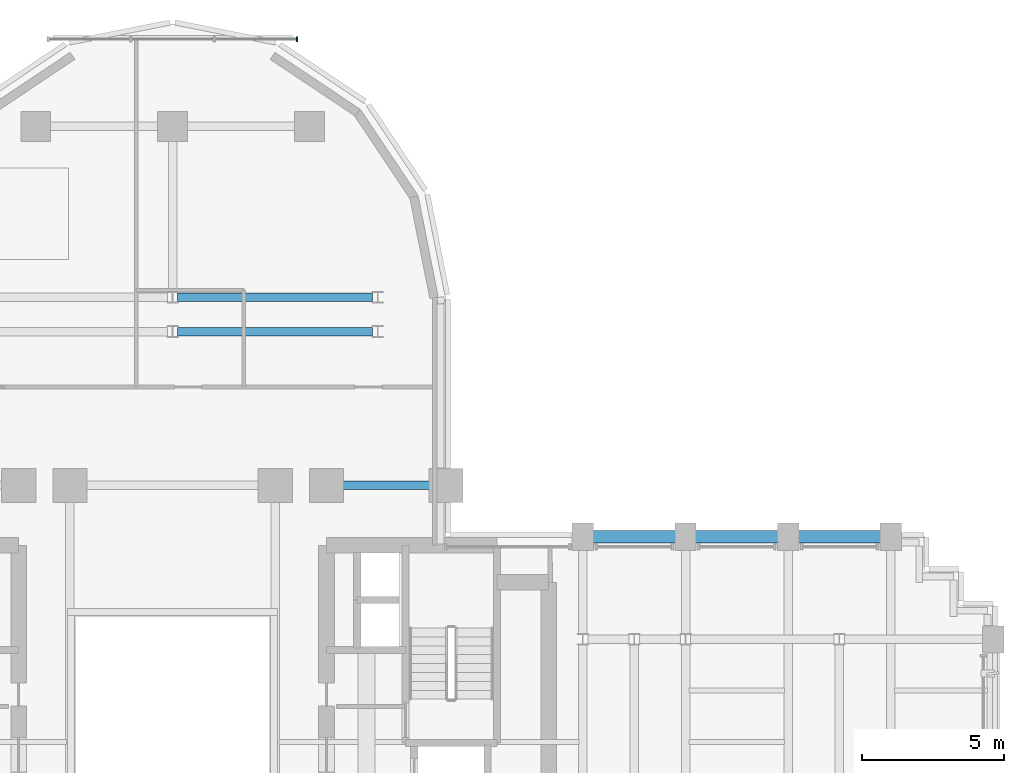
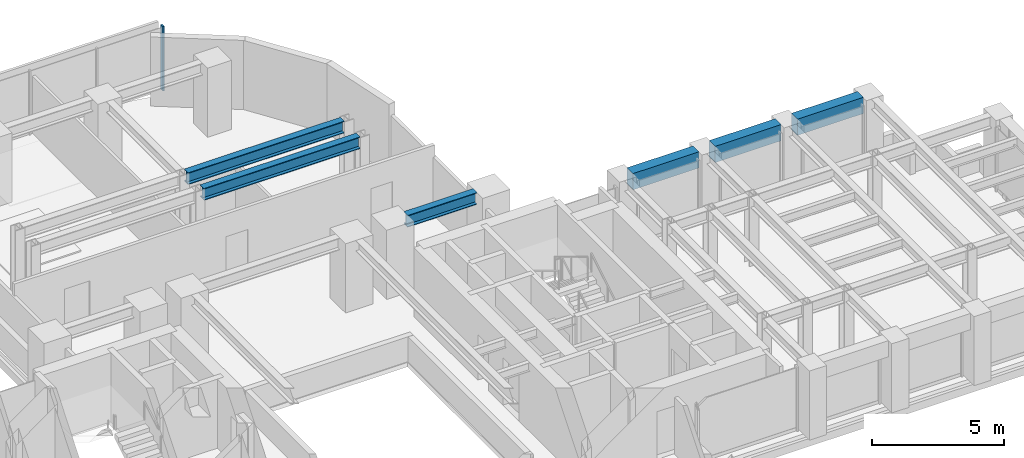
# One storey, part 8 of 16: 6 beams, 1 member, 1 element without a shape of its own.
"""IFC4 building model written with IfcOpenShell, lengths in metres."""

from ifc_helpers import new_model, si_unit, direction, frame, origin, origin_2d, place, context, subcontext, project, spatial, rectangle, i_section, extrude, source, transform, mapped, material, material_profile, profile_set, type_object, element, aggregate, save


model = new_model("IFC4")

# Units and contexts
model_context = context("Model", 3, precision=1e-05, world=origin(), true_north=direction((0.0, 1.0)))
body_context = subcontext(model_context, "Body", "Model", "MODEL_VIEW")
ifc_project = project(units=[si_unit("LENGTHUNIT", "METRE"), si_unit("AREAUNIT", "SQUARE_METRE"), si_unit("VOLUMEUNIT", "CUBIC_METRE"), si_unit("PLANEANGLEUNIT", "RADIAN"), si_unit("MASSUNIT", "GRAM", prefix="KILO")], contexts=[model_context])

# Site, building, storey
site_placement = place(None, origin())
site = spatial("IfcSite", under=ifc_project, at=site_placement, CompositionType="ELEMENT")
building_placement = place(site_placement, origin())
building = spatial("IfcBuilding", under=site, at=building_placement, Name="Keilestroom Media Tower", CompositionType="ELEMENT")
storey_placement = place(building_placement, frame((0.0, 0.0, 71.39990234375)))
storey = spatial("IfcBuildingStorey", under=building, at=storey_placement, Name="L18", CompositionType="ELEMENT", Elevation=71.39990234375)

# Beams
ifc_material_1 = material(Name="Steel S355", Category="steel")
ifc_material_profile_1 = material_profile(ifc_material_1, i_section(OverallWidth=0.300048828125, OverallDepth=0.550048828125, WebThickness=0.012939453125, FlangeThickness=0.029052734375, at=origin_2d()), Name="HEB 550")
ifc_profile_set_1 = profile_set([ifc_material_profile_1], Name="Steel S355")
beam_type_1 = type_object("IfcBeamType", Name="Primary-Structural-Girder-HEB-550", PredefinedType="BEAM", material=ifc_profile_set_1)
shared_shape_1 = source(origin(), body_context, "Body", "SweptSolid", [
    extrude(i_section(OverallWidth=0.300048828125, OverallDepth=0.550048828125, WebThickness=0.012939453125, FlangeThickness=0.029052734375, at=origin_2d()), origin(), (0.0, 0.0, 1.0), 6.836181640625),
])
for number, where, z_axis, x_axis, name in (
    (1, (0.181884765625, 14.39990234375, 2.925048828125), (1.0, 0.0, 0.0), (0.0, 1.0, 0.0), "L18 Beam BG-5 BM-L18-EW-046"),
    (2, (0.181884765625, 15.60009765625, 2.925048828125), (1.0, 0.0, 0.0), (0.0, 1.0, 0.0), "L18 Beam BG-5 BM-L18-EW-048"),
):
    element("IfcBeam", number, at=place(storey_placement, frame(where, z_axis=z_axis, x_axis=x_axis)), inside=storey, type_object=beam_type_1, Name=name, PredefinedType="BEAM", context=body_context, shape_type="MappedRepresentation", body=[
        mapped(shared_shape_1, transform((0.0, 0.0, 0.0), x_axis=(1.0, 0.0, 0.0), y_axis=(0.0, 1.0, 0.0), z_axis=(0.0, 0.0, 1.0), scale=1.0)),
    ])
shared_shape_2 = source(origin(), body_context, "Body", "SweptSolid", [
    extrude(i_section(OverallWidth=0.300048828125, OverallDepth=0.550048828125, WebThickness=0.012939453125, FlangeThickness=0.029052734375, at=origin_2d()), origin(), (0.0, 0.0, 1.0), 3.0400390625),
])
beam_1_placement = place(storey_placement, frame((5.97998046875, 9.0, 2.925048828125), z_axis=(1.0, 0.0, 0.0), x_axis=(0.0, 1.0, 0.0)))
element("IfcBeam", 3, at=beam_1_placement, inside=storey, type_object=beam_type_1, Name="L18 Beam BG-5 BM-L18-EW-044", PredefinedType="BEAM", context=body_context, shape_type="MappedRepresentation", body=[
    mapped(shared_shape_2, transform((0.0, 0.0, 0.0), x_axis=(1.0, 0.0, 0.0), y_axis=(0.0, 1.0, 0.0), z_axis=(0.0, 0.0, 1.0), scale=1.0)),
])
ifc_material_2 = material(Name="Precast concrete C40/50", Category="concrete")
ifc_material_profile_2 = material_profile(ifc_material_2, rectangle(XDim=0.449951171875, YDim=0.75, at=origin_2d()), Name="PC 450x750")
ifc_profile_set_2 = profile_set([ifc_material_profile_2], Name="Precast concrete C40/50")
beam_type_2 = type_object("IfcBeamType", Name="Perimeter-Spandrel-Beam-PC-450x750", PredefinedType="SPANDREL", material=ifc_profile_set_2)
shared_shape_3 = source(origin(), body_context, "Body", "SweptSolid", [
    extrude(rectangle(XDim=0.449951171875, YDim=0.75, at=origin_2d()), origin(), (0.0, 0.0, 1.0), 2.889892578125),
])
beam_2_placement = place(storey_placement, frame((21.955078125, 7.199951171875, 2.8251953125), z_axis=(1.0, 0.0, 0.0), x_axis=(0.0, 1.0, 0.0)))
element("IfcBeam", 4, at=beam_2_placement, inside=storey, type_object=beam_type_2, Name="L18 Beam SPB-1 BM-L18-EW-039", PredefinedType="SPANDREL", context=body_context, shape_type="MappedRepresentation", body=[
    mapped(shared_shape_3, transform((0.0, 0.0, 0.0), x_axis=(1.0, 0.0, 0.0), y_axis=(0.0, 1.0, 0.0), z_axis=(0.0, 0.0, 1.0), scale=1.0)),
])
shared_shape_4 = source(origin(), body_context, "Body", "SweptSolid", [
    extrude(rectangle(XDim=0.449951171875, YDim=0.75, at=origin_2d()), origin(), (0.0, 0.0, 1.0), 2.89013671875),
])
for number, where, z_axis, x_axis, name in (
    (5, (14.7548828125, 7.199951171875, 2.8251953125), (1.0, 0.0, 0.0), (0.0, 1.0, 0.0), "L18 Beam SPB-1 BM-L18-EW-037"),
    (6, (18.35498046875, 7.199951171875, 2.8251953125), (1.0, 0.0, 0.0), (0.0, 1.0, 0.0), "L18 Beam SPB-1 BM-L18-EW-038"),
):
    element("IfcBeam", number, at=place(storey_placement, frame(where, z_axis=z_axis, x_axis=x_axis)), inside=storey, type_object=beam_type_2, Name=name, PredefinedType="SPANDREL", context=body_context, shape_type="MappedRepresentation", body=[
        mapped(shared_shape_4, transform((0.0, 0.0, 0.0), x_axis=(1.0, 0.0, 0.0), y_axis=(0.0, 1.0, 0.0), z_axis=(0.0, 0.0, 1.0), scale=1.0)),
    ])

# Curtain wall, member
ifc_material_3 = material(Name="Anodised Aluminium Alloy", Category="aluminium")
curtain_wall_type = type_object("IfcCurtainWallType", Name="Unitised-Curtain-Wall-CW-6", PredefinedType="NOTDEFINED", material=ifc_material_3)
curtain_wall_placement = place(storey_placement, origin())
curtain_wall = element("IfcCurtainWall", 7, at=curtain_wall_placement, inside=storey, type_object=curtain_wall_type, Name="L18 Curtain Wall CW-6 CW-L18-LN-1", PredefinedType="NOTDEFINED")
ifc_material_profile_3 = material_profile(ifc_material_3, rectangle(XDim=0.06494140625, YDim=0.179931640625, at=origin_2d()), Name="ALU MULLION 65x180")
ifc_profile_set_3 = profile_set([ifc_material_profile_3], Name="Anodised Aluminium Alloy")
member_type = type_object("IfcMemberType", Name="Curtain-Wall-Mullion-CW-6", PredefinedType="MULLION", material=ifc_profile_set_3)
shared_shape_5 = source(origin(), body_context, "Body", "SweptSolid", [
    extrude(rectangle(XDim=0.06494140625, YDim=0.179931640625, at=origin_2d()), origin(), (0.0, 0.0, 1.0), 2.97998046875),
])
member_placement = place(storey_placement, frame((4.367431640625, 24.64990234375, 0.0), z_axis=(0.0, 0.0, 1.0), x_axis=(1.0, 0.0, 0.0)))
member = element("IfcMember", 8, at=member_placement, type_object=member_type, Name="CW-6 Mullion 03", PredefinedType="MULLION", context=body_context, shape_type="MappedRepresentation", body=[
    mapped(shared_shape_5, transform((0.0, 0.0, 0.0), x_axis=(1.0, 0.0, 0.0), y_axis=(0.0, 1.0, 0.0), z_axis=(0.0, 0.0, 1.0), scale=1.0)),
])
aggregate(curtain_wall, [member])

save(model, "model.ifc")
